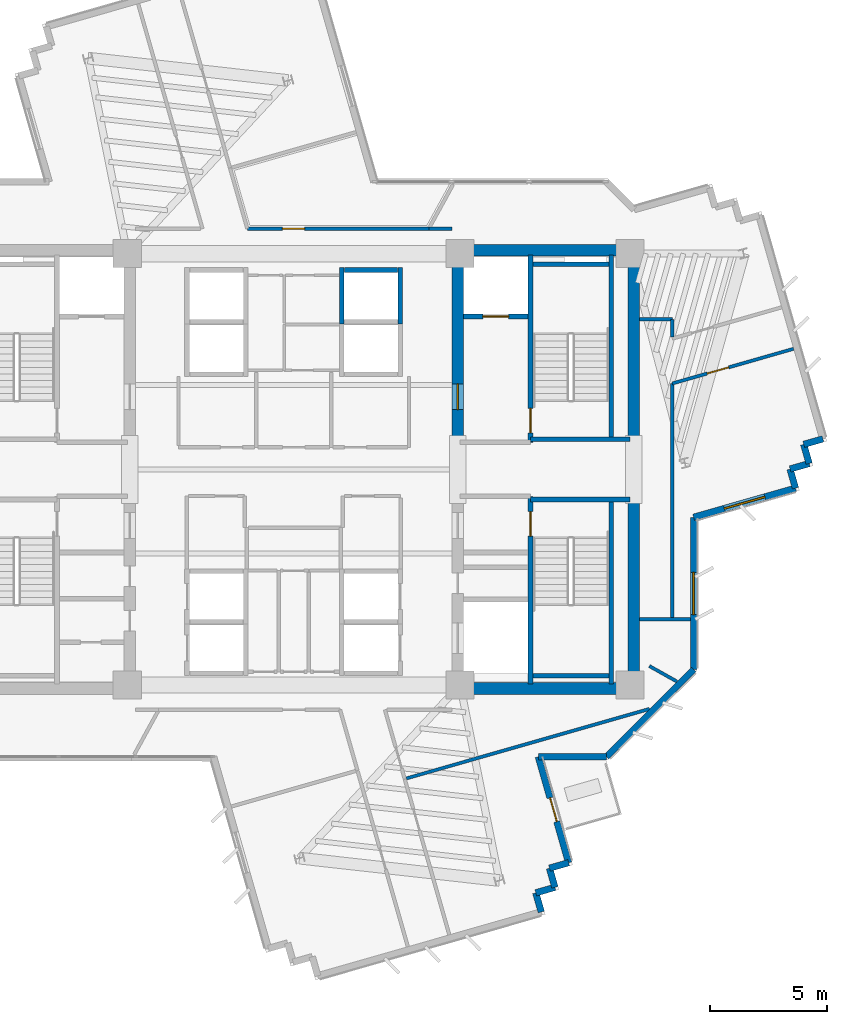
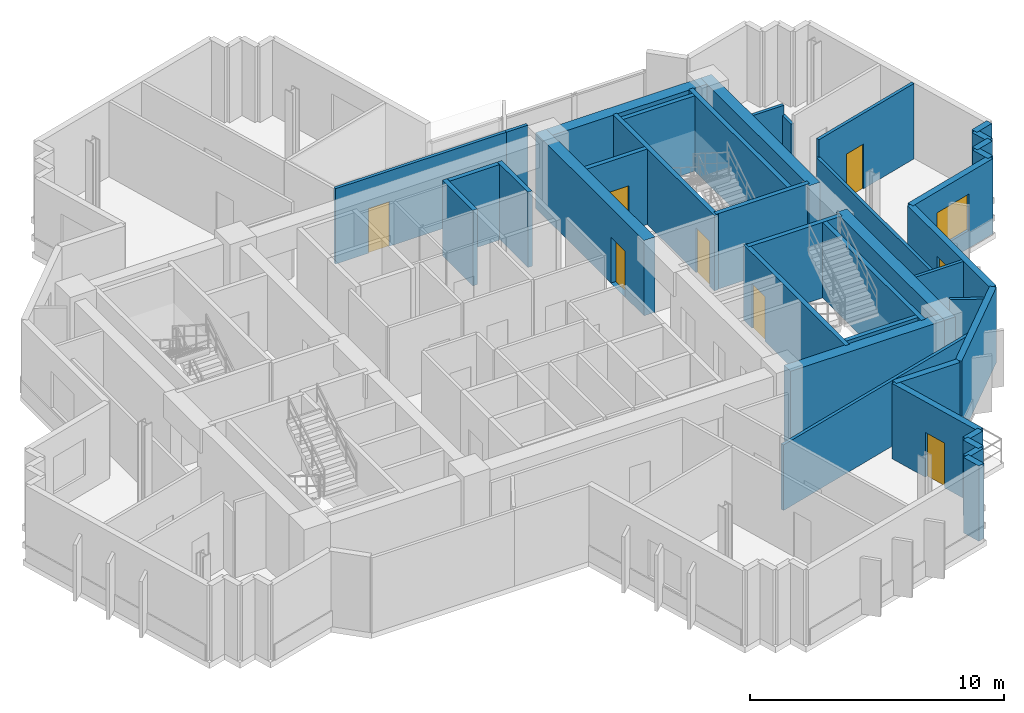
# One storey, part 8 of 14: 39 walls, 7 doors, 2 windows, 9 openings.
"""IFC4 building model written with IfcOpenShell, lengths in metres."""

from ifc_helpers import new_model, si_unit, direction, frame, frame_2d, origin, place, context, subcontext, project, spatial, rectangle, extrude, source, transform, mapped, material, layer, layer_set, type_object, element, fill, save


model = new_model("IFC4")

# Units and contexts
model_context = context("Model", 3, precision=1e-05, world=origin(), true_north=direction((0.0, 1.0)))
body_context = subcontext(model_context, "Body", "Model", "MODEL_VIEW")
ifc_project = project(units=[si_unit("LENGTHUNIT", "METRE"), si_unit("AREAUNIT", "SQUARE_METRE"), si_unit("VOLUMEUNIT", "CUBIC_METRE"), si_unit("PLANEANGLEUNIT", "RADIAN"), si_unit("MASSUNIT", "GRAM", prefix="KILO")], contexts=[model_context])

# Site, building, storey
site_placement = place(None, origin())
site = spatial("IfcSite", under=ifc_project, at=site_placement, CompositionType="ELEMENT")
building_placement = place(site_placement, origin())
building = spatial("IfcBuilding", under=site, at=building_placement, Name="Zahravan Cultural Tower", CompositionType="ELEMENT")
storey_placement = place(building_placement, frame((0.0, 0.0, 209.699951171875)))
storey = spatial("IfcBuildingStorey", under=building, at=storey_placement, Name="L49", CompositionType="ELEMENT", Elevation=209.699951171875)

# Wall, opening, door
ifc_material_1 = material(Name="Concrete C60/75", Category="concrete")
ifc_layer_1 = layer(ifc_material_1, 0.5)
ifc_layer_set_1 = layer_set([ifc_layer_1], Name="Concrete C60/75")
wall_type_1 = type_object("IfcWallType", Name="CW-SHEAR-500-C60", PredefinedType="SHEAR", material=ifc_layer_set_1)
wall_1_placement = place(storey_placement, frame((43.0, 28.050048828125, 0.0), z_axis=(0.0, 0.0, 1.0), x_axis=(0.0, 1.0, 0.0)))
wall_1 = element("IfcWall", 1, at=wall_1_placement, inside=storey, type_object=wall_type_1, Name="L49 Core Shear Wall CW-E-WN-L49", PredefinedType="SHEAR", context=body_context, shape_type="SweptSolid", body=[
    extrude(rectangle(XDim=8.550048828125, YDim=0.5, at=frame_2d((4.27490234375, 0.0))), origin(), (0.0, 0.0, 1.0), 3.6201171875),
])
opening_1_placement = place(wall_1_placement, frame((1.5, 0.0, 0.0)))
opening_1 = element("IfcOpeningElement", 2, at=opening_1_placement, cuts=wall_1, Name="Opening D-L49-06", PredefinedType="OPENING", context=body_context, shape_type="SweptSolid", body=[
    extrude(rectangle(XDim=1.10009765625, YDim=2.199951171875, at=frame_2d((0.550048828125, 1.10009765625))), frame((0.0, 0.260009765625, 0.0), z_axis=(0.0, -1.0, 0.0), x_axis=(1.0, 0.0, 0.0)), (0.0, 0.0, 1.0), 0.52001953125),
])
ifc_material_2 = material(Name="Steel ASTM A572 Grade 50", Category="steel")
door_type_1 = type_object("IfcDoorType", Name="DR-LOBBY-1100", OperationType="NOTDEFINED", PredefinedType="DOOR", material=ifc_material_2)
shared_shape_1 = source(origin(), body_context, "Body", "SweptSolid", [
    extrude(rectangle(XDim=1.10009765625, YDim=2.199951171875, at=frame_2d((0.550048828125, 1.10009765625))), frame((0.0, 0.02490234375, 0.0), z_axis=(0.0, -1.0, 0.0), x_axis=(1.0, 0.0, 0.0)), (0.0, 0.0, 1.0), 0.050048828125),
])
door_1_placement = place(opening_1_placement, origin())
door_1 = element("IfcDoor", 3, at=door_1_placement, inside=storey, type_object=door_type_1, Name="L49 Door D-L49-06", OperationType="SINGLE_SWING_RIGHT", OverallHeight=2.199951171875, OverallWidth=1.10009765625, PredefinedType="DOOR", context=body_context, shape_type="MappedRepresentation", body=[
    mapped(shared_shape_1, transform((0.0, 0.0, 0.0), x_axis=(1.0, 0.0, 0.0), y_axis=(0.0, 1.0, 0.0), z_axis=(0.0, 0.0, 1.0), scale=1.0)),
])
fill(opening_1, door_1)

# Wall, opening, window
ifc_material_3 = material(Name="Precast concrete C40/50", Category="concrete")
ifc_layer_2 = layer(ifc_material_3, 0.280029296875)
ifc_layer_set_2 = layer_set([ifc_layer_2], Name="Precast concrete C40/50")
wall_type_2 = type_object("IfcWallType", Name="EW-TC-280", PredefinedType="SOLIDWALL", material=ifc_layer_set_2)
wall_2_placement = place(storey_placement, frame((57.406494140625, 26.195068359375, 0.0), z_axis=(0.0, 0.0, 1.0), x_axis=(-0.961446468673, -0.274992159663, 0.0)))
wall_2 = element("IfcWall", 4, at=wall_2_placement, inside=storey, type_object=wall_type_2, Name="L49 Exterior Masonry Frame Wall 11", PredefinedType="SOLIDWALL", context=body_context, shape_type="SweptSolid", body=[
    extrude(rectangle(XDim=4.520751953125, YDim=0.280029296875, at=frame_2d((2.26025390625, 0.0))), origin(), (0.0, 0.0, 1.0), 3.6201171875),
])
opening_2_placement = place(wall_2_placement, frame((1.360107421875, 0.0, 0.85009765625)))
opening_2 = element("IfcOpeningElement", 5, at=opening_2_placement, cuts=wall_2, Name="Opening WN-02", PredefinedType="OPENING", context=body_context, shape_type="SweptSolid", body=[
    extrude(rectangle(XDim=1.800048828125, YDim=1.75, at=frame_2d((0.89990234375, 0.875))), frame((0.0, 0.14990234375, 0.0), z_axis=(0.0, -1.0, 0.0), x_axis=(1.0, 0.0, 0.0)), (0.0, 0.0, 1.0), 0.300048828125),
])
ifc_material_4 = material(Name="Low-E solar-control double glazing", Category="glass")
window_type = type_object("IfcWindowType", Name="WN-REC-1800X1750", PartitioningType="DOUBLE_PANEL_VERTICAL", PredefinedType="WINDOW", material=ifc_material_4)
shared_shape_2 = source(origin(), body_context, "Body", "SweptSolid", [
    extrude(rectangle(XDim=1.800048828125, YDim=1.75, at=frame_2d((0.89990234375, 0.875))), frame((0.0, 0.030029296875, 0.0), z_axis=(0.0, -1.0, 0.0), x_axis=(1.0, 0.0, 0.0)), (0.0, 0.0, 1.0), 0.06005859375),
])
window_1_placement = place(opening_2_placement, origin())
window_1 = element("IfcWindow", 6, at=window_1_placement, inside=storey, type_object=window_type, Name="L49 Recessed Solar Window 01", OverallHeight=1.75, OverallWidth=1.800048828125, PartitioningType="DOUBLE_PANEL_VERTICAL", PredefinedType="WINDOW", context=body_context, shape_type="MappedRepresentation", body=[
    mapped(shared_shape_2, transform((0.0, 0.0, 0.0), x_axis=(1.0, 0.0, 0.0), y_axis=(0.0, 1.0, 0.0), z_axis=(0.0, 0.0, 1.0), scale=1.0)),
])
fill(opening_2, window_1)

wall_3_placement = place(storey_placement, frame((53.06005859375, 24.951904296875, 0.0), z_axis=(0.0, 0.0, 1.0), x_axis=(0.0, -1.0, 0.0)))
wall_3 = element("IfcWall", 7, at=wall_3_placement, inside=storey, type_object=wall_type_2, Name="L49 Exterior Masonry Frame Wall 12", PredefinedType="SOLIDWALL", context=body_context, shape_type="SweptSolid", body=[
    extrude(rectangle(XDim=6.493896484375, YDim=0.280029296875, at=frame_2d((3.2470703125, 0.0))), origin(), (0.0, 0.0, 1.0), 3.6201171875),
])
opening_3_placement = place(wall_3_placement, frame((2.346923828125, 0.0, 0.85009765625)))
opening_3 = element("IfcOpeningElement", 8, at=opening_3_placement, cuts=wall_3, Name="Opening WN-02", PredefinedType="OPENING", context=body_context, shape_type="SweptSolid", body=[
    extrude(rectangle(XDim=1.800048828125, YDim=1.75, at=frame_2d((0.89990234375, 0.875))), frame((0.0, 0.14990234375, 0.0), z_axis=(0.0, -1.0, 0.0), x_axis=(1.0, 0.0, 0.0)), (0.0, 0.0, 1.0), 0.300048828125),
])
window_2_placement = place(opening_3_placement, origin())
window_2 = element("IfcWindow", 9, at=window_2_placement, inside=storey, type_object=window_type, Name="L49 Recessed Solar Window 02", OverallHeight=1.75, OverallWidth=1.800048828125, PartitioningType="DOUBLE_PANEL_VERTICAL", PredefinedType="WINDOW", context=body_context, shape_type="MappedRepresentation", body=[
    mapped(shared_shape_2, transform((0.0, 0.0, 0.0), x_axis=(1.0, 0.0, 0.0), y_axis=(0.0, 1.0, 0.0), z_axis=(0.0, 0.0, 1.0), scale=1.0)),
])
fill(opening_3, window_2)

# Wall, opening, door
wall_4_placement = place(storey_placement, frame((46.43310546875, 14.739990234375, 0.0), z_axis=(0.0, 0.0, 1.0), x_axis=(0.274981611661, -0.961449485542, 0.0)))
wall_4 = element("IfcWall", 10, at=wall_4_placement, inside=storey, type_object=wall_type_2, Name="L49 Exterior Masonry Frame Wall 15", PredefinedType="SOLIDWALL", context=body_context, shape_type="SweptSolid", body=[
    extrude(rectangle(XDim=4.703857421875, YDim=0.280029296875, at=frame_2d((2.35205078125, 0.0))), origin(), (0.0, 0.0, 1.0), 3.6201171875),
])
opening_4_placement = place(wall_4_placement, frame((1.826904296875, 0.0, 0.0)))
opening_4 = element("IfcOpeningElement", 11, at=opening_4_placement, cuts=wall_4, Name="Opening D-L49-TR-SE", PredefinedType="OPENING", context=body_context, shape_type="SweptSolid", body=[
    extrude(rectangle(XDim=1.050048828125, YDim=2.14990234375, at=frame_2d((0.52490234375, 1.074951171875))), frame((0.0, 0.14990234375, 0.0), z_axis=(0.0, -1.0, 0.0), x_axis=(1.0, 0.0, 0.0)), (0.0, 0.0, 1.0), 0.300048828125),
])
ifc_material_5 = material(Name="Anodised bronze-aluminium mullion", Category="aluminium")
door_type_2 = type_object("IfcDoorType", Name="DR-TERR-1050", OperationType="NOTDEFINED", PredefinedType="DOOR", material=ifc_material_5)
shared_shape_3 = source(origin(), body_context, "Body", "SweptSolid", [
    extrude(rectangle(XDim=1.050048828125, YDim=2.14990234375, at=frame_2d((0.52490234375, 1.074951171875))), frame((0.0, 0.02490234375, 0.0), z_axis=(0.0, -1.0, 0.0), x_axis=(1.0, 0.0, 0.0)), (0.0, 0.0, 1.0), 0.050048828125),
])
door_2_placement = place(opening_4_placement, origin())
door_2 = element("IfcDoor", 12, at=door_2_placement, inside=storey, type_object=door_type_2, Name="L49 Terrace Access Door SE", OperationType="SINGLE_SWING_RIGHT", OverallHeight=2.14990234375, OverallWidth=1.050048828125, PredefinedType="DOOR", context=body_context, shape_type="MappedRepresentation", body=[
    mapped(shared_shape_3, transform((0.0, 0.0, 0.0), x_axis=(1.0, 0.0, 0.0), y_axis=(0.0, 1.0, 0.0), z_axis=(0.0, 0.0, 1.0), scale=1.0)),
])
fill(opening_4, door_2)

ifc_material_6 = material(Name="Gypsum plasterboard partition")
ifc_layer_3 = layer(ifc_material_6, 0.139892578125)
ifc_layer_set_3 = layer_set([ifc_layer_3], Name="Gypsum plasterboard partition")
wall_type_3 = type_object("IfcWallType", Name="W-PART-140", PredefinedType="PARTITIONING", material=ifc_layer_set_3)
wall_5_placement = place(storey_placement, frame((41.775390625, 37.260009765625, 0.0), z_axis=(0.0, 0.0, 1.0), x_axis=(-1.0, 0.0, 0.0)))
wall_5 = element("IfcWall", 13, at=wall_5_placement, inside=storey, type_object=wall_type_3, Name="L49 Interior Wall 092", PredefinedType="PARTITIONING", context=body_context, shape_type="SweptSolid", body=[
    extrude(rectangle(XDim=7.752685546875, YDim=0.139892578125, at=frame_2d((3.87646484375, 0.0))), origin(), (0.0, 0.0, 1.0), 3.6201171875),
])
opening_5_placement = place(wall_5_placement, frame((5.30615234375, 0.0, 0.0)))
opening_5 = element("IfcOpeningElement", 14, at=opening_5_placement, cuts=wall_5, Name="Opening D-L49-25", PredefinedType="OPENING", context=body_context, shape_type="SweptSolid", body=[
    extrude(rectangle(XDim=0.949951171875, YDim=2.14990234375, at=frame_2d((0.47509765625, 1.074951171875))), frame((0.0, 0.079833984375, 0.0), z_axis=(0.0, -1.0, 0.0), x_axis=(1.0, 0.0, 0.0)), (0.0, 0.0, 1.0), 0.159912109375),
])
door_type_3 = type_object("IfcDoorType", Name="DR-ROOM-950", OperationType="NOTDEFINED", PredefinedType="DOOR", material=ifc_material_5)
shared_shape_4 = source(origin(), body_context, "Body", "SweptSolid", [
    extrude(rectangle(XDim=0.949951171875, YDim=2.14990234375, at=frame_2d((0.47509765625, 1.074951171875))), frame((0.0, 0.02490234375, 0.0), z_axis=(0.0, -1.0, 0.0), x_axis=(1.0, 0.0, 0.0)), (0.0, 0.0, 1.0), 0.050048828125),
])
door_3_placement = place(opening_5_placement, origin())
door_3 = element("IfcDoor", 15, at=door_3_placement, inside=storey, type_object=door_type_3, Name="L49 Door D-L49-25", OperationType="SINGLE_SWING_LEFT", OverallHeight=2.14990234375, OverallWidth=0.949951171875, PredefinedType="DOOR", context=body_context, shape_type="MappedRepresentation", body=[
    mapped(shared_shape_4, transform((0.0, 0.0, 0.0), x_axis=(1.0, 0.0, 0.0), y_axis=(0.0, 1.0, 0.0), z_axis=(0.0, 0.0, 1.0), scale=1.0)),
])
fill(opening_5, door_3)

wall_6_placement = place(storey_placement, frame((52.14990234375, 30.661865234375, 0.0), z_axis=(0.0, 0.0, 1.0), x_axis=(0.961455430103, 0.274960826164, 0.0)))
wall_6 = element("IfcWall", 16, at=wall_6_placement, inside=storey, type_object=wall_type_3, Name="L49 Interior Wall 110", PredefinedType="PARTITIONING", context=body_context, shape_type="SweptSolid", body=[
    extrude(rectangle(XDim=5.380859375, YDim=0.139892578125, at=frame_2d((2.6904296875, 0.0))), origin(), (0.0, 0.0, 1.0), 3.6201171875),
])
opening_6_placement = place(wall_6_placement, frame((1.55078125, 0.0, 0.0)))
opening_6 = element("IfcOpeningElement", 17, at=opening_6_placement, cuts=wall_6, Name="Opening D-L49-23", PredefinedType="OPENING", context=body_context, shape_type="SweptSolid", body=[
    extrude(rectangle(XDim=0.949951171875, YDim=2.14990234375, at=frame_2d((0.47509765625, 1.074951171875))), frame((0.0, 0.079833984375, 0.0), z_axis=(0.0, -1.0, 0.0), x_axis=(1.0, 0.0, 0.0)), (0.0, 0.0, 1.0), 0.159912109375),
])
door_4_placement = place(opening_6_placement, origin())
door_4 = element("IfcDoor", 18, at=door_4_placement, inside=storey, type_object=door_type_3, Name="L49 Door D-L49-23", OperationType="SINGLE_SWING_LEFT", OverallHeight=2.14990234375, OverallWidth=0.949951171875, PredefinedType="DOOR", context=body_context, shape_type="MappedRepresentation", body=[
    mapped(shared_shape_4, transform((0.0, 0.0, 0.0), x_axis=(1.0, 0.0, 0.0), y_axis=(0.0, 1.0, 0.0), z_axis=(0.0, 0.0, 1.0), scale=1.0)),
])
fill(opening_6, door_4)

ifc_material_7 = material(Name="Concrete C45/55", Category="concrete")
ifc_layer_4 = layer(ifc_material_7, 0.199951171875)
ifc_layer_set_4 = layer_set([ifc_layer_4], Name="Concrete C45/55")
wall_type_4 = type_object("IfcWallType", Name="W-SHAFT-200", PredefinedType="SOLIDWALL", material=ifc_layer_set_4)
wall_7_placement = place(storey_placement, frame((46.10009765625, 17.85009765625, 0.0), z_axis=(0.0, 0.0, 1.0), x_axis=(0.0, 1.0, 0.0)))
wall_7 = element("IfcWall", 19, at=wall_7_placement, inside=storey, type_object=wall_type_4, Name="L49 Interior Wall 007", PredefinedType="SOLIDWALL", context=body_context, shape_type="SweptSolid", body=[
    extrude(rectangle(XDim=8.0, YDim=0.199951171875, at=frame_2d((4.0, 0.0))), origin(), (0.0, 0.0, 1.0), 3.6201171875),
])
opening_7_placement = place(wall_7_placement, frame((6.300048828125, 0.0, 0.0)))
opening_7 = element("IfcOpeningElement", 20, at=opening_7_placement, cuts=wall_7, Name="Opening D-L49-03", PredefinedType="OPENING", context=body_context, shape_type="SweptSolid", body=[
    extrude(rectangle(XDim=1.050048828125, YDim=2.14990234375, at=frame_2d((0.52490234375, 1.074951171875))), frame((0.0, 0.10986328125, 0.0), z_axis=(0.0, -1.0, 0.0), x_axis=(1.0, 0.0, 0.0)), (0.0, 0.0, 1.0), 0.219970703125),
])
door_type_4 = type_object("IfcDoorType", Name="DR-STAIR-1050", OperationType="NOTDEFINED", PredefinedType="DOOR", material=ifc_material_2)
door_5_placement = place(opening_7_placement, origin())
door_5 = element("IfcDoor", 21, at=door_5_placement, inside=storey, type_object=door_type_4, Name="L49 Door D-L49-03", OperationType="SINGLE_SWING_LEFT", OverallHeight=2.14990234375, OverallWidth=1.050048828125, PredefinedType="DOOR", context=body_context, shape_type="MappedRepresentation", body=[
    mapped(shared_shape_3, transform((0.0, 0.0, 0.0), x_axis=(1.0, 0.0, 0.0), y_axis=(0.0, 1.0, 0.0), z_axis=(0.0, 0.0, 1.0), scale=1.0)),
])
fill(opening_7, door_5)

wall_8_placement = place(storey_placement, frame((46.10009765625, 28.14990234375, 0.0), z_axis=(0.0, 0.0, 1.0), x_axis=(0.0, 1.0, 0.0)))
wall_8 = element("IfcWall", 22, at=wall_8_placement, inside=storey, type_object=wall_type_4, Name="L49 Interior Wall 008", PredefinedType="SOLIDWALL", context=body_context, shape_type="SweptSolid", body=[
    extrude(rectangle(XDim=8.0, YDim=0.199951171875, at=frame_2d((4.0, 0.0))), origin(), (0.0, 0.0, 1.0), 3.6201171875),
])
opening_8_placement = place(wall_8_placement, frame((0.39990234375, 0.0, 0.0)))
opening_8 = element("IfcOpeningElement", 23, at=opening_8_placement, cuts=wall_8, Name="Opening D-L49-02", PredefinedType="OPENING", context=body_context, shape_type="SweptSolid", body=[
    extrude(rectangle(XDim=1.050048828125, YDim=2.14990234375, at=frame_2d((0.52490234375, 1.074951171875))), frame((0.0, 0.10986328125, 0.0), z_axis=(0.0, -1.0, 0.0), x_axis=(1.0, 0.0, 0.0)), (0.0, 0.0, 1.0), 0.219970703125),
])
door_6_placement = place(opening_8_placement, origin())
door_6 = element("IfcDoor", 24, at=door_6_placement, inside=storey, type_object=door_type_4, Name="L49 Door D-L49-02", OperationType="SINGLE_SWING_RIGHT", OverallHeight=2.14990234375, OverallWidth=1.050048828125, PredefinedType="DOOR", context=body_context, shape_type="MappedRepresentation", body=[
    mapped(shared_shape_3, transform((0.0, 0.0, 0.0), x_axis=(1.0, 0.0, 0.0), y_axis=(0.0, 1.0, 0.0), z_axis=(0.0, 0.0, 1.0), scale=1.0)),
])
fill(opening_8, door_6)

wall_9_placement = place(storey_placement, frame((43.25, 33.52001953125, 0.0), z_axis=(0.0, 0.0, 1.0), x_axis=(1.0, 0.0, 0.0)))
wall_9 = element("IfcWall", 25, at=wall_9_placement, inside=storey, type_object=wall_type_4, Name="L49 Interior Wall 022", PredefinedType="SOLIDWALL", context=body_context, shape_type="SweptSolid", body=[
    extrude(rectangle(XDim=2.75, YDim=0.199951171875, at=frame_2d((1.375, 0.0))), origin(), (0.0, 0.0, 1.0), 3.6201171875),
])
opening_9_placement = place(wall_9_placement, frame((0.820068359375, 0.0, 0.0)))
opening_9 = element("IfcOpeningElement", 26, at=opening_9_placement, cuts=wall_9, Name="Opening LD-L49-02", PredefinedType="OPENING", context=body_context, shape_type="SweptSolid", body=[
    extrude(rectangle(XDim=1.10009765625, YDim=2.14990234375, at=frame_2d((0.550048828125, 1.074951171875))), frame((0.0, 0.10986328125, 0.0), z_axis=(0.0, -1.0, 0.0), x_axis=(1.0, 0.0, 0.0)), (0.0, 0.0, 1.0), 0.219970703125),
])
door_type_5 = type_object("IfcDoorType", Name="DR-LIFT-1100", OperationType="DOUBLE_DOOR_SLIDING", PredefinedType="DOOR", material=ifc_material_2)
shared_shape_5 = source(origin(), body_context, "Body", "SweptSolid", [
    extrude(rectangle(XDim=1.10009765625, YDim=2.14990234375, at=frame_2d((0.550048828125, 1.074951171875))), frame((0.0, 0.02490234375, 0.0), z_axis=(0.0, -1.0, 0.0), x_axis=(1.0, 0.0, 0.0)), (0.0, 0.0, 1.0), 0.050048828125),
])
door_7_placement = place(opening_9_placement, origin())
door_7 = element("IfcDoor", 27, at=door_7_placement, inside=storey, type_object=door_type_5, Name="L49 Door LD-L49-02", OperationType="DOUBLE_DOOR_SLIDING", OverallHeight=2.14990234375, OverallWidth=1.10009765625, PredefinedType="DOOR", context=body_context, shape_type="MappedRepresentation", body=[
    mapped(shared_shape_5, transform((0.0, 0.0, 0.0), x_axis=(1.0, 0.0, 0.0), y_axis=(0.0, 1.0, 0.0), z_axis=(0.0, 0.0, 1.0), scale=1.0)),
])
fill(opening_9, door_7)

# Walls
shared_shape_6 = source(origin(), body_context, "Body", "SweptSolid", [
    extrude(rectangle(XDim=8.550048828125, YDim=0.5, at=frame_2d((4.27490234375, 0.0))), origin(), (0.0, 0.0, 1.0), 3.6201171875),
])
for number, where, z_axis, x_axis, name in (
    (28, (50.5, 17.39990234375, 0.0), (0.0, 0.0, 1.0), (0.0, 1.0, 0.0), "L49 Core Shear Wall CW-E-ES-L49"),
    (29, (50.5, 28.050048828125, 0.0), (0.0, 0.0, 1.0), (0.0, 1.0, 0.0), "L49 Core Shear Wall CW-E-EN-L49"),
):
    element("IfcWall", number, at=place(storey_placement, frame(where, z_axis=z_axis, x_axis=x_axis)), inside=storey, type_object=wall_type_1, Name=name, PredefinedType="SHEAR", context=body_context, shape_type="MappedRepresentation", body=[
        mapped(shared_shape_6, transform((0.0, 0.0, 0.0), x_axis=(1.0, 0.0, 0.0), y_axis=(0.0, 1.0, 0.0), z_axis=(0.0, 0.0, 1.0), scale=1.0)),
    ])
shared_shape_7 = source(origin(), body_context, "Body", "SweptSolid", [
    extrude(rectangle(XDim=7.0, YDim=0.5, at=frame_2d((3.5, 0.0))), origin(), (0.0, 0.0, 1.0), 3.6201171875),
])
for number, where, z_axis, x_axis, name in (
    (30, (43.25, 17.64990234375, 0.0), (0.0, 0.0, 1.0), (1.0, 0.0, 0.0), "L49 Core Shear Wall CW-E-S-L49"),
    (31, (43.25, 36.35009765625, 0.0), (0.0, 0.0, 1.0), (1.0, 0.0, 0.0), "L49 Core Shear Wall CW-E-N-L49"),
):
    element("IfcWall", number, at=place(storey_placement, frame(where, z_axis=z_axis, x_axis=x_axis)), inside=storey, type_object=wall_type_1, Name=name, PredefinedType="SHEAR", context=body_context, shape_type="MappedRepresentation", body=[
        mapped(shared_shape_7, transform((0.0, 0.0, 0.0), x_axis=(1.0, 0.0, 0.0), y_axis=(0.0, 1.0, 0.0), z_axis=(0.0, 0.0, 1.0), scale=1.0)),
    ])
shared_shape_8 = source(origin(), body_context, "Body", "SweptSolid", [
    extrude(rectangle(XDim=0.85009765625, YDim=0.280029296875, at=frame_2d((0.425048828125, 0.0))), origin(), (0.0, 0.0, 1.0), 3.6201171875),
])
for number, where, z_axis, x_axis, name in (
    (32, (46.909423828125, 9.98388671875, 0.0), (0.0, 0.0, 1.0), (0.274834915789, -0.961491429532, 0.0), "L49 Exterior Masonry Frame Wall 17"),
    (33, (46.325927734375, 8.932861328125, 0.0), (0.0, 0.0, 1.0), (0.274834915789, -0.961491429532, 0.0), "L49 Exterior Masonry Frame Wall 19"),
):
    element("IfcWall", number, at=place(storey_placement, frame(where, z_axis=z_axis, x_axis=x_axis)), inside=storey, type_object=wall_type_2, Name=name, PredefinedType="SOLIDWALL", context=body_context, shape_type="MappedRepresentation", body=[
        mapped(shared_shape_8, transform((0.0, 0.0, 0.0), x_axis=(1.0, 0.0, 0.0), y_axis=(0.0, 1.0, 0.0), z_axis=(0.0, 0.0, 1.0), scale=1.0)),
    ])
shared_shape_9 = source(origin(), body_context, "Body", "SweptSolid", [
    extrude(rectangle(XDim=5.258056640625, YDim=0.280029296875, at=frame_2d((2.62890625, 0.0))), origin(), (0.0, 0.0, 1.0), 3.6201171875),
])
wall_10_placement = place(storey_placement, frame((53.06005859375, 18.4580078125, 0.0), z_axis=(0.0, 0.0, 1.0), x_axis=(-0.707106781187, -0.707106781187, 0.0)))
element("IfcWall", 34, at=wall_10_placement, inside=storey, type_object=wall_type_2, Name="L49 Exterior Masonry Frame Wall 13", PredefinedType="SOLIDWALL", context=body_context, shape_type="MappedRepresentation", body=[
    mapped(shared_shape_9, transform((0.0, 0.0, 0.0), x_axis=(1.0, 0.0, 0.0), y_axis=(0.0, 1.0, 0.0), z_axis=(0.0, 0.0, 1.0), scale=1.0)),
])
shared_shape_10 = source(origin(), body_context, "Body", "SweptSolid", [
    extrude(rectangle(XDim=0.849853515625, YDim=0.280029296875, at=frame_2d((0.4248046875, 0.0))), origin(), (0.0, 0.0, 1.0), 3.6201171875),
])
for number, where, z_axis, x_axis, name in (
    (35, (58.573486328125, 28.296875, 0.0), (0.0, 0.0, 1.0), (-0.961469728335, -0.274910824624, 0.0), "L49 Exterior Masonry Frame Wall 07"),
    (36, (57.75634765625, 28.063232421875, 0.0), (0.0, 0.0, 1.0), (0.274910824624, -0.961469728335, 0.0), "L49 Exterior Masonry Frame Wall 08"),
    (37, (57.989990234375, 27.24609375, 0.0), (0.0, 0.0, 1.0), (-0.961393768724, -0.275176346112, 0.0), "L49 Exterior Masonry Frame Wall 09"),
    (38, (57.1728515625, 27.01220703125, 0.0), (0.0, 0.0, 1.0), (0.274910824624, -0.961469728335, 0.0), "L49 Exterior Masonry Frame Wall 10"),
    (39, (47.7265625, 10.217529296875, 0.0), (0.0, 0.0, 1.0), (-0.961469728335, -0.274910824624, 0.0), "L49 Exterior Masonry Frame Wall 16"),
    (40, (47.14306640625, 9.16650390625, 0.0), (0.0, 0.0, 1.0), (-0.961469728335, -0.274910824624, 0.0), "L49 Exterior Masonry Frame Wall 18"),
):
    element("IfcWall", number, at=place(storey_placement, frame(where, z_axis=z_axis, x_axis=x_axis)), inside=storey, type_object=wall_type_2, Name=name, PredefinedType="SOLIDWALL", context=body_context, shape_type="MappedRepresentation", body=[
        mapped(shared_shape_10, transform((0.0, 0.0, 0.0), x_axis=(1.0, 0.0, 0.0), y_axis=(0.0, 1.0, 0.0), z_axis=(0.0, 0.0, 1.0), scale=1.0)),
    ])
shared_shape_11 = source(origin(), body_context, "Body", "SweptSolid", [
    extrude(rectangle(XDim=2.908935546875, YDim=0.280029296875, at=frame_2d((1.45458984375, 0.0))), origin(), (0.0, 0.0, 1.0), 3.6201171875),
])
wall_11_placement = place(storey_placement, frame((49.342041015625, 14.739990234375, 0.0), z_axis=(0.0, 0.0, 1.0), x_axis=(-1.0, 0.0, 0.0)))
element("IfcWall", 41, at=wall_11_placement, inside=storey, type_object=wall_type_2, Name="L49 Exterior Masonry Frame Wall 14", PredefinedType="SOLIDWALL", context=body_context, shape_type="MappedRepresentation", body=[
    mapped(shared_shape_11, transform((0.0, 0.0, 0.0), x_axis=(1.0, 0.0, 0.0), y_axis=(0.0, 1.0, 0.0), z_axis=(0.0, 0.0, 1.0), scale=1.0)),
])
shared_shape_12 = source(origin(), body_context, "Body", "SweptSolid", [
    extrude(rectangle(XDim=7.869873046875, YDim=0.199951171875, at=frame_2d((3.93505859375, 0.0))), origin(), (0.0, 0.0, 1.0), 3.6201171875),
])
for number, where, z_axis, x_axis, name in (
    (42, (49.550048828125, 17.85009765625, 0.0), (0.0, 0.0, 1.0), (0.0, 1.0, 0.0), "L49 Interior Wall 003"),
    (43, (49.550048828125, 28.280029296875, 0.0), (0.0, 0.0, 1.0), (0.0, 1.0, 0.0), "L49 Interior Wall 004"),
):
    element("IfcWall", number, at=place(storey_placement, frame(where, z_axis=z_axis, x_axis=x_axis)), inside=storey, type_object=wall_type_4, Name=name, PredefinedType="SOLIDWALL", context=body_context, shape_type="MappedRepresentation", body=[
        mapped(shared_shape_12, transform((0.0, 0.0, 0.0), x_axis=(1.0, 0.0, 0.0), y_axis=(0.0, 1.0, 0.0), z_axis=(0.0, 0.0, 1.0), scale=1.0)),
    ])
shared_shape_13 = source(origin(), body_context, "Body", "SweptSolid", [
    extrude(rectangle(XDim=4.25, YDim=0.199951171875, at=frame_2d((2.125, 0.0))), origin(), (0.0, 0.0, 1.0), 3.6201171875),
])
for number, where, z_axis, x_axis, name in (
    (44, (46.10009765625, 25.715087890625, 0.0), (0.0, 0.0, 1.0), (1.0, 0.0, 0.0), "L49 Interior Wall 014"),
    (45, (46.10009765625, 28.284912109375, 0.0), (0.0, 0.0, 1.0), (1.0, 0.0, 0.0), "L49 Interior Wall 016"),
):
    element("IfcWall", number, at=place(storey_placement, frame(where, z_axis=z_axis, x_axis=x_axis)), inside=storey, type_object=wall_type_4, Name=name, PredefinedType="SOLIDWALL", context=body_context, shape_type="MappedRepresentation", body=[
        mapped(shared_shape_13, transform((0.0, 0.0, 0.0), x_axis=(1.0, 0.0, 0.0), y_axis=(0.0, 1.0, 0.0), z_axis=(0.0, 0.0, 1.0), scale=1.0)),
    ])
shared_shape_14 = source(origin(), body_context, "Body", "SweptSolid", [
    extrude(rectangle(XDim=3.25, YDim=0.199951171875, at=frame_2d((1.625, 0.0))), origin(), (0.0, 0.0, 1.0), 3.6201171875),
])
for number, where, z_axis, x_axis, name in (
    (46, (46.199951171875, 35.75, 0.0), (0.0, 0.0, 1.0), (1.0, 0.0, 0.0), "L49 Interior Wall 018"),
    (47, (46.199951171875, 18.199951171875, 0.0), (0.0, 0.0, 1.0), (1.0, 0.0, 0.0), "L49 Interior Wall 020"),
):
    element("IfcWall", number, at=place(storey_placement, frame(where, z_axis=z_axis, x_axis=x_axis)), inside=storey, type_object=wall_type_4, Name=name, PredefinedType="SOLIDWALL", context=body_context, shape_type="MappedRepresentation", body=[
        mapped(shared_shape_14, transform((0.0, 0.0, 0.0), x_axis=(1.0, 0.0, 0.0), y_axis=(0.0, 1.0, 0.0), z_axis=(0.0, 0.0, 1.0), scale=1.0)),
    ])
shared_shape_15 = source(origin(), body_context, "Body", "SweptSolid", [
    extrude(rectangle(XDim=2.400146484375, YDim=0.199951171875, at=frame_2d((1.2001953125, 0.0))), origin(), (0.0, 0.0, 1.0), 3.6201171875),
])
for number, where, z_axis, x_axis, name in (
    (48, (38.050048828125, 33.199951171875, 0.0), (0.0, 0.0, 1.0), (0.0, 1.0, 0.0), "L49 Interior Wall 036"),
    (49, (40.550048828125, 33.199951171875, 0.0), (0.0, 0.0, 1.0), (0.0, 1.0, 0.0), "L49 Interior Wall 037"),
):
    element("IfcWall", number, at=place(storey_placement, frame(where, z_axis=z_axis, x_axis=x_axis)), inside=storey, type_object=wall_type_4, Name=name, PredefinedType="SOLIDWALL", context=body_context, shape_type="MappedRepresentation", body=[
        mapped(shared_shape_15, transform((0.0, 0.0, 0.0), x_axis=(1.0, 0.0, 0.0), y_axis=(0.0, 1.0, 0.0), z_axis=(0.0, 0.0, 1.0), scale=1.0)),
    ])
shared_shape_16 = source(origin(), body_context, "Body", "SweptSolid", [
    extrude(rectangle(XDim=2.260009765625, YDim=0.199951171875, at=frame_2d((1.1298828125, 0.0))), origin(), (0.0, 0.0, 1.0), 3.6201171875),
])
wall_12_placement = place(storey_placement, frame((38.169921875, 35.5, 0.0), z_axis=(0.0, 0.0, 1.0), x_axis=(1.0, 0.0, 0.0)))
element("IfcWall", 50, at=wall_12_placement, inside=storey, type_object=wall_type_4, Name="L49 Interior Wall 039", PredefinedType="SOLIDWALL", context=body_context, shape_type="MappedRepresentation", body=[
    mapped(shared_shape_16, transform((0.0, 0.0, 0.0), x_axis=(1.0, 0.0, 0.0), y_axis=(0.0, 1.0, 0.0), z_axis=(0.0, 0.0, 1.0), scale=1.0)),
])
shared_shape_17 = source(origin(), body_context, "Body", "SweptSolid", [
    extrude(rectangle(XDim=1.39404296875, YDim=0.139892578125, at=frame_2d((0.697021484375, 0.0))), origin(), (0.0, 0.0, 1.0), 3.6201171875),
])
wall_13_placement = place(storey_placement, frame((52.14892578125, 33.39892578125, 0.0), z_axis=(0.0, 0.0, 1.0), x_axis=(-0.999999754632, 0.000700525222, 0.0)))
element("IfcWall", 51, at=wall_13_placement, inside=storey, type_object=wall_type_3, Name="L49 Interior Wall 114", PredefinedType="PARTITIONING", context=body_context, shape_type="MappedRepresentation", body=[
    mapped(shared_shape_17, transform((0.0, 0.0, 0.0), x_axis=(1.0, 0.0, 0.0), y_axis=(0.0, 1.0, 0.0), z_axis=(0.0, 0.0, 1.0), scale=1.0)),
])
shared_shape_18 = source(origin(), body_context, "Body", "SweptSolid", [
    extrude(rectangle(XDim=2.1650390625, YDim=0.139892578125, at=frame_2d((1.08251953125, 0.0))), origin(), (0.0, 0.0, 1.0), 3.6201171875),
])
wall_14_placement = place(storey_placement, frame((50.7548828125, 20.60009765625, 0.0), z_axis=(0.0, 0.0, 1.0), x_axis=(1.0, 0.0, 0.0)))
element("IfcWall", 52, at=wall_14_placement, inside=storey, type_object=wall_type_3, Name="L49 Interior Wall 108", PredefinedType="PARTITIONING", context=body_context, shape_type="MappedRepresentation", body=[
    mapped(shared_shape_18, transform((0.0, 0.0, 0.0), x_axis=(1.0, 0.0, 0.0), y_axis=(0.0, 1.0, 0.0), z_axis=(0.0, 0.0, 1.0), scale=1.0)),
])
shared_shape_19 = source(origin(), body_context, "Body", "SweptSolid", [
    extrude(rectangle(XDim=1.34765625, YDim=0.139892578125, at=frame_2d((0.673828125, 0.0))), origin(), (0.0, 0.0, 1.0), 3.6201171875),
])
wall_15_placement = place(storey_placement, frame((51.169921875, 18.60791015625, 0.0), z_axis=(0.0, 0.0, 1.0), x_axis=(0.872029904913, -0.489452597232, 0.0)))
element("IfcWall", 53, at=wall_15_placement, inside=storey, type_object=wall_type_3, Name="L49 Interior Wall 090", PredefinedType="PARTITIONING", context=body_context, shape_type="MappedRepresentation", body=[
    mapped(shared_shape_19, transform((0.0, 0.0, 0.0), x_axis=(1.0, 0.0, 0.0), y_axis=(0.0, 1.0, 0.0), z_axis=(0.0, 0.0, 1.0), scale=1.0)),
])
shared_shape_20 = source(origin(), body_context, "Body", "SweptSolid", [
    extrude(rectangle(XDim=0.97216796875, YDim=0.139892578125, at=frame_2d((0.486083984375, 0.0))), origin(), (0.0, 0.0, 1.0), 3.6201171875),
])
wall_16_placement = place(storey_placement, frame((42.74755859375, 37.25927734375, 0.0), z_axis=(0.0, 0.0, 1.0), x_axis=(-0.999999716202, 0.000753390042, 0.0)))
element("IfcWall", 54, at=wall_16_placement, inside=storey, type_object=wall_type_3, Name="L49 Interior Wall 111", PredefinedType="PARTITIONING", context=body_context, shape_type="MappedRepresentation", body=[
    mapped(shared_shape_20, transform((0.0, 0.0, 0.0), x_axis=(1.0, 0.0, 0.0), y_axis=(0.0, 1.0, 0.0), z_axis=(0.0, 0.0, 1.0), scale=1.0)),
])
shared_shape_21 = source(origin(), body_context, "Body", "SweptSolid", [
    extrude(rectangle(XDim=10.785400390625, YDim=0.139892578125, at=frame_2d((5.392578125, 0.0))), origin(), (0.0, 0.0, 1.0), 3.149169921875),
])
wall_17_placement = place(storey_placement, frame((51.17578125, 16.77880859375, 0.0), z_axis=(0.0, 0.0, 1.0), x_axis=(-0.961454726908, -0.274963285016, 0.0)))
element("IfcWall", 55, at=wall_17_placement, inside=storey, type_object=wall_type_3, Name="L49 Interior Wall 091", PredefinedType="PARTITIONING", context=body_context, shape_type="MappedRepresentation", body=[
    mapped(shared_shape_21, transform((0.0, 0.0, 0.0), x_axis=(1.0, 0.0, 0.0), y_axis=(0.0, 1.0, 0.0), z_axis=(0.0, 0.0, 1.0), scale=1.0)),
])
shared_shape_22 = source(origin(), body_context, "Body", "SweptSolid", [
    extrude(rectangle(XDim=9.98681640625, YDim=0.139892578125, at=frame_2d((4.993408203125, 0.0))), origin(), (0.0, 0.0, 1.0), 2.76611328125),
])
wall_18_placement = place(storey_placement, frame((52.149658203125, 20.675048828125, 0.0), z_axis=(0.0, 0.0, 1.0), x_axis=(2.4446291e-05, 0.999999999701, 0.0)))
element("IfcWall", 56, at=wall_18_placement, inside=storey, type_object=wall_type_3, Name="L49 Interior Wall 109", PredefinedType="PARTITIONING", context=body_context, shape_type="MappedRepresentation", body=[
    mapped(shared_shape_22, transform((0.0, 0.0, 0.0), x_axis=(1.0, 0.0, 0.0), y_axis=(0.0, 1.0, 0.0), z_axis=(0.0, 0.0, 1.0), scale=1.0)),
])
shared_shape_23 = source(origin(), body_context, "Body", "SweptSolid", [
    extrude(rectangle(XDim=0.745361328125, YDim=0.139892578125, at=frame_2d((0.37255859375, 0.0))), origin(), (0.0, 0.0, 1.0), 3.149169921875),
])
wall_19_placement = place(storey_placement, frame((52.14990234375, 32.653564453125, 0.0), z_axis=(0.0, 0.0, 1.0), x_axis=(-0.001310185577, 0.999999141707, 0.0)))
element("IfcWall", 57, at=wall_19_placement, inside=storey, type_object=wall_type_3, Name="L49 Interior Wall 113", PredefinedType="PARTITIONING", context=body_context, shape_type="MappedRepresentation", body=[
    mapped(shared_shape_23, transform((0.0, 0.0, 0.0), x_axis=(1.0, 0.0, 0.0), y_axis=(0.0, 1.0, 0.0), z_axis=(0.0, 0.0, 1.0), scale=1.0)),
])

save(model, "model.ifc")
